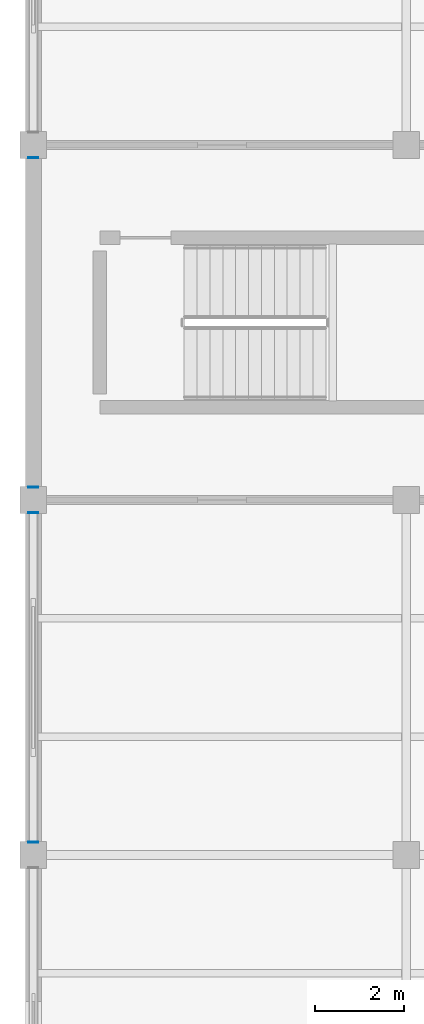
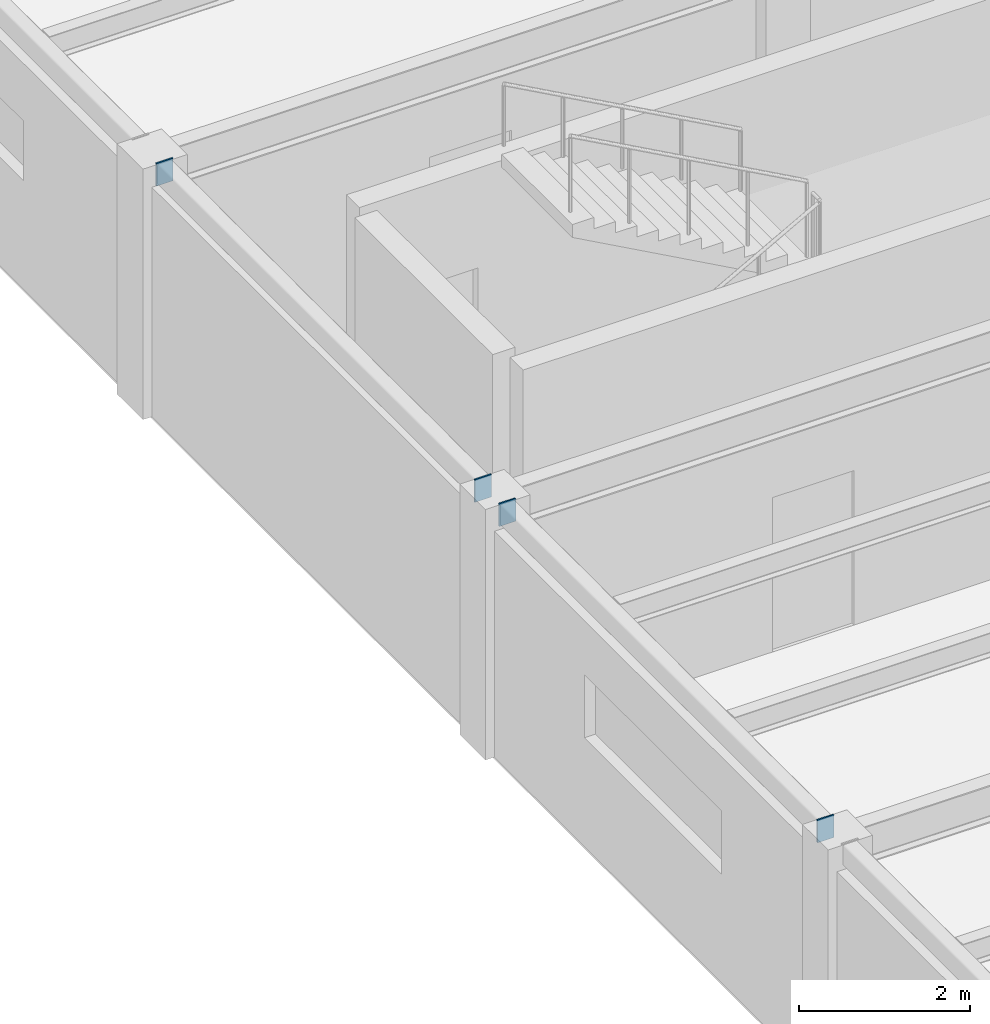
# One storey, part 66 of 96: 4 discrete accessories.
"""IFC4 building model written with IfcOpenShell, lengths in metres."""

from ifc_helpers import new_model, si_unit, direction, frame, origin, origin_2d, place, context, subcontext, project, spatial, rectangle, extrude, material, layer, layer_set, type_object, element, save


model = new_model("IFC4")

# Units and contexts
model_context = context("Model", 3, precision=1e-05, world=origin(), true_north=direction((0.0, 1.0)))
body_context = subcontext(model_context, "Body", "Model", "MODEL_VIEW")
ifc_project = project(units=[si_unit("LENGTHUNIT", "METRE"), si_unit("AREAUNIT", "SQUARE_METRE"), si_unit("VOLUMEUNIT", "CUBIC_METRE"), si_unit("PLANEANGLEUNIT", "RADIAN"), si_unit("MASSUNIT", "GRAM", prefix="KILO")], contexts=[model_context])

# Site, building, storey
site_placement = place(None, origin())
site = spatial("IfcSite", under=ifc_project, at=site_placement, CompositionType="ELEMENT")
building_placement = place(site_placement, origin())
building = spatial("IfcBuilding", under=site, at=building_placement, Name="Kranzveld Transit Interchange", CompositionType="ELEMENT")
storey_placement = place(building_placement, frame((0.0, 0.0, 9.52001953125)))
storey = spatial("IfcBuildingStorey", under=building, at=storey_placement, Name="L02", CompositionType="ELEMENT", Elevation=9.52001953125)

# Discrete accessories
ifc_material = material(Name="Steel S355JR", Category="steel")
ifc_layer = layer(ifc_material, 0.02001953125)
ifc_layer_set = layer_set([ifc_layer], Name="Steel S355JR")
discrete_accessory_type = type_object("IfcDiscreteAccessoryType", Name="Hollow Section End Cap Bracket 20 S355JR", PredefinedType="BRACKET", material=ifc_layer_set)
for number, where, z_axis, x_axis, name in (
    (1, (0.0, 56.2939453125, 3.419921875), (0.0, -1.0, 0.0), (1.0, 0.0, 0.0), "Hollow Section End Cap SP-RHS300-1"),
    (2, (0.0, 63.7060546875, 3.419921875), (0.0, 1.0, 0.0), (-1.0, 0.0, 0.0), "Hollow Section End Cap SP-RHS300-2"),
    (3, (0.0, 64.2939453125, 3.419921875), (0.0, -1.0, 0.0), (1.0, 0.0, 0.0), "Hollow Section End Cap SP-RHS300-1"),
    (4, (0.0, 71.7060546875, 3.419921875), (0.0, 1.0, 0.0), (-1.0, 0.0, 0.0), "Hollow Section End Cap SP-RHS300-2"),
):
    element("IfcDiscreteAccessory", number, at=place(storey_placement, frame(where, z_axis=z_axis, x_axis=x_axis)), inside=storey, type_object=discrete_accessory_type, Name=name, PredefinedType="BRACKET", context=body_context, shape_type="SweptSolid", body=[
        extrude(rectangle(XDim=0.22412109375, YDim=0.323974609375, at=origin_2d()), origin(), (0.0, 0.0, 1.0), 0.02001953125),
    ])

save(model, "model.ifc")
